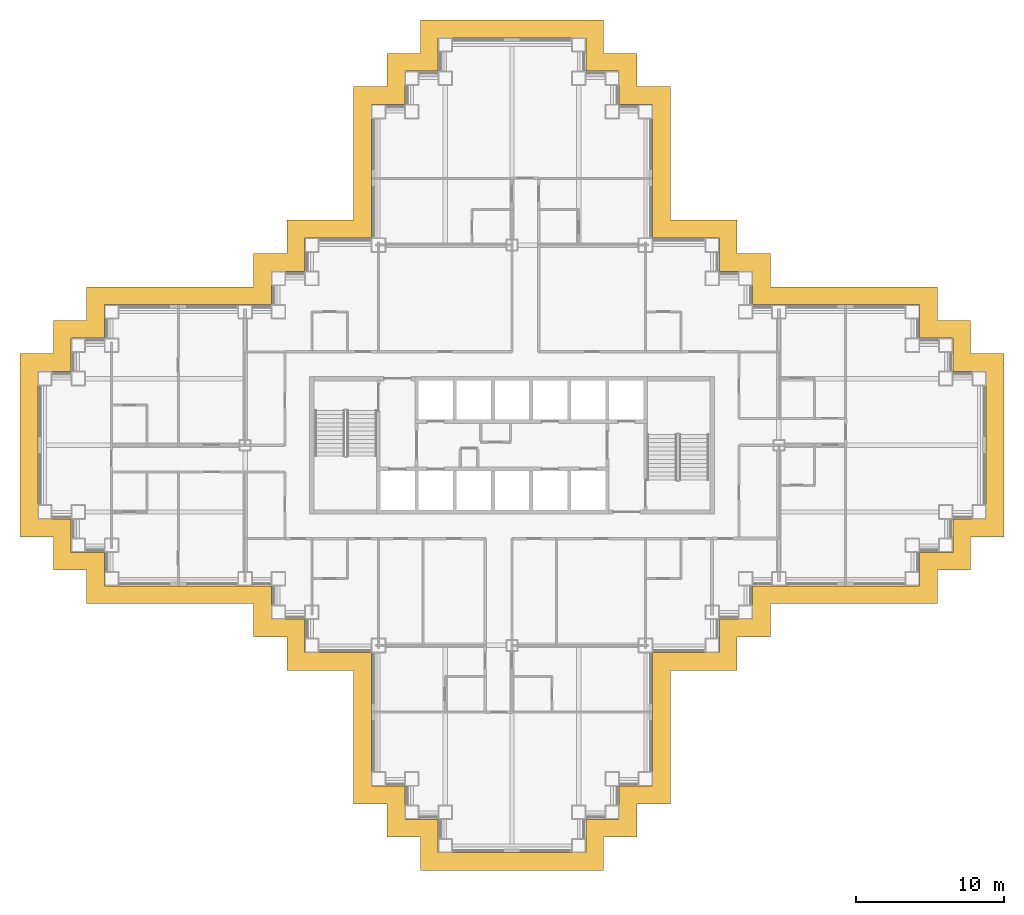
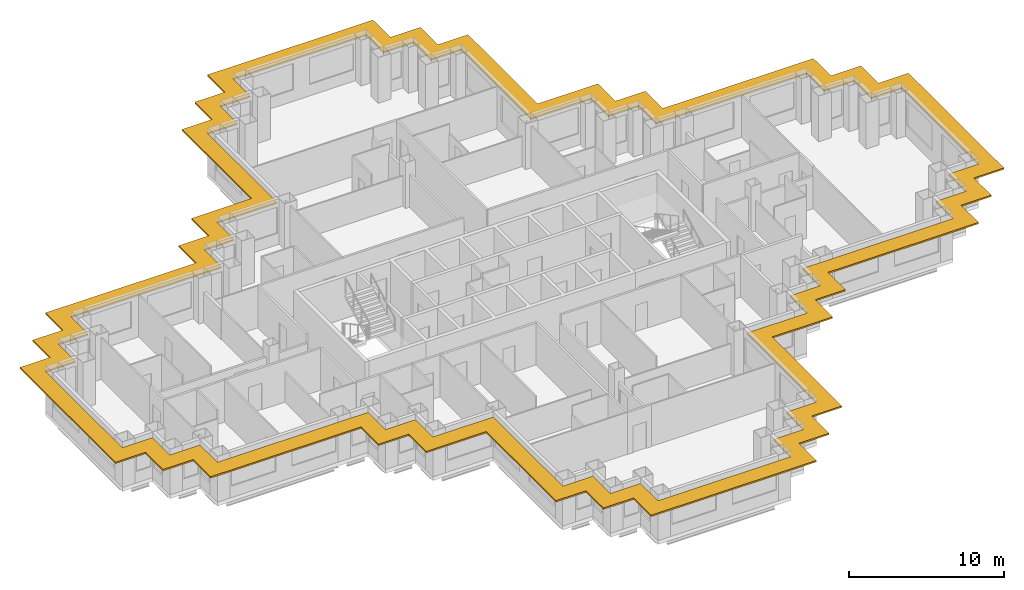
# One storey, part 13 of 14: 1 shading device.
"""IFC4 building model written with IfcOpenShell, lengths in metres."""

from ifc_helpers import new_model, si_unit, direction, frame, origin, place, context, subcontext, project, spatial, polyline, outline, extrude, material, layer, layer_set, type_object, element, save


model = new_model("IFC4")

# Units and contexts
model_context = context("Model", 3, precision=1e-05, world=origin(), true_north=direction((0.0, 1.0)))
body_context = subcontext(model_context, "Body", "Model", "MODEL_VIEW")
ifc_project = project(units=[si_unit("LENGTHUNIT", "METRE"), si_unit("AREAUNIT", "SQUARE_METRE"), si_unit("VOLUMEUNIT", "CUBIC_METRE"), si_unit("PLANEANGLEUNIT", "RADIAN"), si_unit("MASSUNIT", "GRAM", prefix="KILO")], contexts=[model_context])

# Site, building, storey
site_placement = place(None, origin())
site = spatial("IfcSite", under=ifc_project, at=site_placement, CompositionType="ELEMENT")
building_placement = place(site_placement, origin())
building = spatial("IfcBuilding", under=site, at=building_placement, Name="Caravel Reach Hotel and Residences", CompositionType="ELEMENT")
storey_placement = place(building_placement, frame((0.0, 0.0, 88.800048828125)))
storey = spatial("IfcBuildingStorey", under=building, at=storey_placement, Name="L21", CompositionType="ELEMENT", Elevation=88.800048828125)

# Shading device
ifc_material = material(Name="Black powder-coated aluminium", Category="aluminium")
ifc_layer = layer(ifc_material, 0.1201171875)
ifc_layer_set = layer_set([ifc_layer], Name="SS1 Sunshade band 1200")
shading_device_type = type_object("IfcShadingDeviceType", Name="SS1 Sunshade band 1200", PredefinedType="USERDEFINED", material=ifc_layer_set)
shading_device_placement = place(storey_placement, frame((0.0, 0.0, 3.0400390625)))
element("IfcShadingDevice", 1, at=shading_device_placement, inside=storey, type_object=shading_device_type, Name="Sunshade L21 1", ObjectType="SUNSHADE", PredefinedType="USERDEFINED", context=body_context, shape_type="SweptSolid", body=[
    extrude(outline(polyline([(20.824951171875, 11.824951171875), (20.824951171875, 2.824951171875), (23.074951171875, 2.824951171875), (23.074951171875, 0.574951171875), (25.324951171875, 0.574951171875), (25.324951171875, -1.675048828125), (37.675048828125, -1.675048828125), (37.675048828125, 0.574951171875), (39.925048828125, 0.574951171875), (39.925048828125, 2.824951171875), (42.175048828125, 2.824951171875), (42.175048828125, 11.824951171875), (46.675048828125, 11.824951171875), (46.675048828125, 14.074951171875), (48.925048828125, 14.074951171875), (48.925048828125, 16.324951171875), (60.175048828125, 16.324951171875), (60.175048828125, 18.574951171875), (62.425048828125, 18.574951171875), (62.425048828125, 20.824951171875), (64.675048828125, 20.824951171875), (64.675048828125, 33.175048828125), (62.425048828125, 33.175048828125), (62.425048828125, 35.425048828125), (60.175048828125, 35.425048828125), (60.175048828125, 37.675048828125), (48.925048828125, 37.675048828125), (48.925048828125, 39.925048828125), (46.675048828125, 39.925048828125), (46.675048828125, 42.175048828125), (42.175048828125, 42.175048828125), (42.175048828125, 51.175048828125), (39.925048828125, 51.175048828125), (39.925048828125, 53.425048828125), (37.675048828125, 53.425048828125), (37.675048828125, 55.675048828125), (25.324951171875, 55.675048828125), (25.324951171875, 53.425048828125), (23.074951171875, 53.425048828125), (23.074951171875, 51.175048828125), (20.824951171875, 51.175048828125), (20.824951171875, 42.175048828125), (16.324951171875, 42.175048828125), (16.324951171875, 39.925048828125), (14.074951171875, 39.925048828125), (14.074951171875, 37.675048828125), (2.824951171875, 37.675048828125), (2.824951171875, 35.425048828125), (0.574951171875, 35.425048828125), (0.574951171875, 33.175048828125), (-1.675048828125, 33.175048828125), (-1.675048828125, 20.824951171875), (0.574951171875, 20.824951171875), (0.574951171875, 18.574951171875), (2.824951171875, 18.574951171875), (2.824951171875, 16.324951171875), (14.074951171875, 16.324951171875), (14.074951171875, 14.074951171875), (16.324951171875, 14.074951171875), (16.324951171875, 11.824951171875), (20.824951171875, 11.824951171875)]), holes=[polyline([(24.27490234375, 4.02490234375), (22.02490234375, 4.02490234375), (22.02490234375, 13.02490234375), (17.52490234375, 13.02490234375), (17.52490234375, 15.27490234375), (15.27490234375, 15.27490234375), (15.27490234375, 17.52490234375), (4.02490234375, 17.52490234375), (4.02490234375, 19.77490234375), (1.77490234375, 19.77490234375), (1.77490234375, 22.02490234375), (-0.47509765625, 22.02490234375), (-0.47509765625, 31.97509765625), (1.77490234375, 31.97509765625), (1.77490234375, 34.22509765625), (4.02490234375, 34.22509765625), (4.02490234375, 36.47509765625), (15.27490234375, 36.47509765625), (15.27490234375, 38.72509765625), (17.52490234375, 38.72509765625), (17.52490234375, 40.97509765625), (22.02490234375, 40.97509765625), (22.02490234375, 49.97509765625), (24.27490234375, 49.97509765625), (24.27490234375, 52.22509765625), (26.52490234375, 52.22509765625), (26.52490234375, 54.47509765625), (36.47509765625, 54.47509765625), (36.47509765625, 52.22509765625), (38.72509765625, 52.22509765625), (38.72509765625, 49.97509765625), (40.97509765625, 49.97509765625), (40.97509765625, 40.97509765625), (45.47509765625, 40.97509765625), (45.47509765625, 38.72509765625), (47.72509765625, 38.72509765625), (47.72509765625, 36.47509765625), (58.97509765625, 36.47509765625), (58.97509765625, 34.22509765625), (61.22509765625, 34.22509765625), (61.22509765625, 31.97509765625), (63.47509765625, 31.97509765625), (63.47509765625, 22.02490234375), (61.22509765625, 22.02490234375), (61.22509765625, 19.77490234375), (58.97509765625, 19.77490234375), (58.97509765625, 17.52490234375), (47.72509765625, 17.52490234375), (47.72509765625, 15.27490234375), (45.47509765625, 15.27490234375), (45.47509765625, 13.02490234375), (40.97509765625, 13.02490234375), (40.97509765625, 4.02490234375), (38.72509765625, 4.02490234375), (38.72509765625, 1.77490234375), (36.47509765625, 1.77490234375), (36.47509765625, -0.47509765625), (26.52490234375, -0.47509765625), (26.52490234375, 1.77490234375), (24.27490234375, 1.77490234375), (24.27490234375, 4.02490234375)])]), origin(), (0.0, 0.0, 1.0), 0.119873046875),
])

save(model, "model.ifc")
